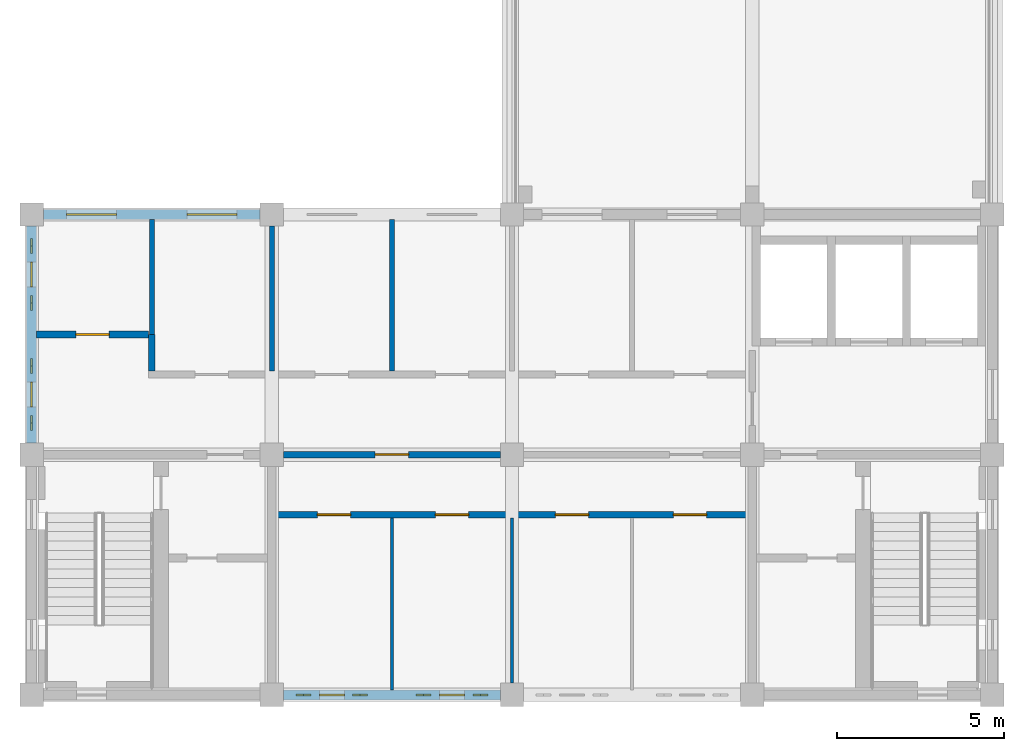
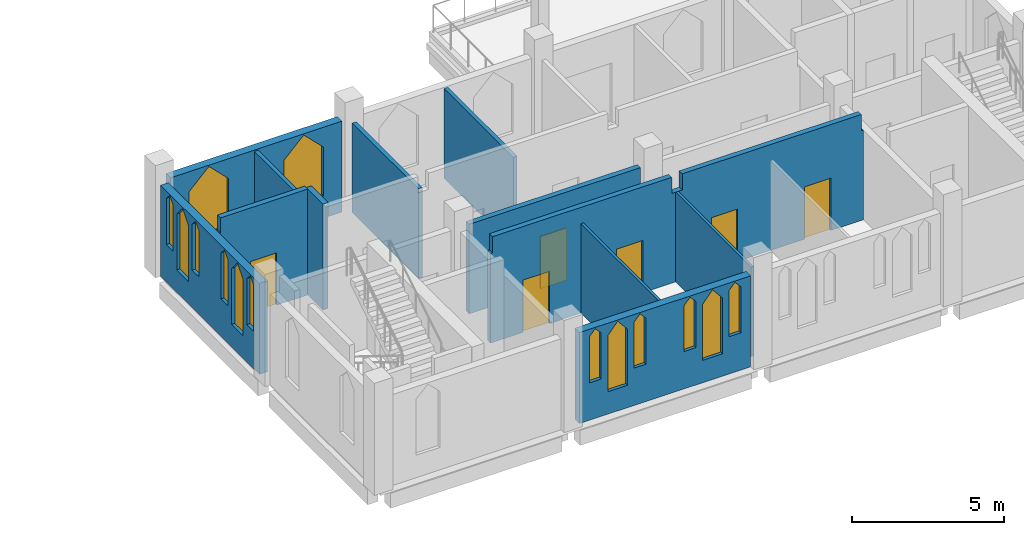
# One storey, part 2 of 5: 14 windows, 12 walls, 6 doors, 20 openings.
"""IFC4 building model written with IfcOpenShell, lengths in metres."""

from ifc_helpers import new_model, si_unit, direction, frame, frame_2d, origin, place, context, subcontext, project, spatial, polyline, rectangle, outline, extrude, material, layer, layer_set, type_object, element, fill, save


model = new_model("IFC4")

# Units and contexts
model_context = context("Model", 3, precision=1e-05, world=origin(), true_north=direction((0.0, 1.0)))
body_context = subcontext(model_context, "Body", "Model", "MODEL_VIEW")
ifc_project = project(units=[si_unit("LENGTHUNIT", "METRE"), si_unit("AREAUNIT", "SQUARE_METRE"), si_unit("VOLUMEUNIT", "CUBIC_METRE"), si_unit("PLANEANGLEUNIT", "RADIAN"), si_unit("MASSUNIT", "GRAM", prefix="KILO")], contexts=[model_context])

# Site, building, storey
site_placement = place(None, origin())
site = spatial("IfcSite", under=ifc_project, at=site_placement, CompositionType="ELEMENT")
building_placement = place(site_placement, origin())
building = spatial("IfcBuilding", under=site, at=building_placement, Name="Silangan Lancet Faculty of Sciences", CompositionType="ELEMENT")
storey_placement = place(building_placement, frame((0.0, 0.0, 67.800048828125)))
storey = spatial("IfcBuildingStorey", under=building, at=storey_placement, Name="L14", CompositionType="ELEMENT", Elevation=67.800048828125)

# Wall, openings, windows
ifc_material_1 = material(Name="Concrete C40/50 precast", Category="concrete")
ifc_layer_1 = layer(ifc_material_1, 0.300048828125)
ifc_layer_set_1 = layer_set([ifc_layer_1], Name="Concrete C40/50 precast")
wall_type_1 = type_object("IfcWallType", Name="EW1 Precast cladding wall", PredefinedType="STANDARD", material=ifc_layer_set_1)
wall_1_placement = place(storey_placement, frame((0.0, 7.550048828125, 0.0), z_axis=(0.0, 0.0, 1.0), x_axis=(0.0, 1.0, 0.0)))
wall_1 = element("IfcWall", 1, at=wall_1_placement, inside=storey, type_object=wall_type_1, Name="EW-L14-W-ST-U-01", PredefinedType="STANDARD", context=body_context, shape_type="SweptSolid", body=[
    extrude(rectangle(XDim=6.5, YDim=0.300048828125, at=frame_2d((3.25, 0.0))), origin(), (0.0, 0.0, 1.0), 3.64990234375),
])
opening_1_placement = place(wall_1_placement, frame((0.375, 0.0, 1.5)))
opening_1 = element("IfcOpeningElement", 2, at=opening_1_placement, cuts=wall_1, Name="Opening W27", PredefinedType="OPENING", context=body_context, shape_type="SweptSolid", body=[
    extrude(outline(polyline([(0.0, 0.0), (0.449951171875, 0.0), (0.449951171875, 1.85009765625), (0.22509765625, 2.10009765625), (0.0, 1.85009765625), (0.0, 0.0)])), frame((0.0, 0.159912109375, 0.0), z_axis=(0.0, -1.0, 0.0), x_axis=(1.0, 0.0, 0.0)), (0.0, 0.0, 1.0), 0.320068359375),
])
opening_2_placement = place(wall_1_placement, frame((1.074951171875, 0.0, 0.89990234375)))
opening_2 = element("IfcOpeningElement", 3, at=opening_2_placement, cuts=wall_1, Name="Opening W28", PredefinedType="OPENING", context=body_context, shape_type="SweptSolid", body=[
    extrude(outline(polyline([(0.0, 0.0), (0.75, 0.0), (0.75, 2.25), (0.375, 2.699951171875), (0.0, 2.25), (0.0, 0.0)])), frame((0.0, 0.159912109375, 0.0), z_axis=(0.0, -1.0, 0.0), x_axis=(1.0, 0.0, 0.0)), (0.0, 0.0, 1.0), 0.320068359375),
])
opening_3_placement = place(wall_1_placement, frame((2.074951171875, 0.0, 1.5)))
opening_3 = element("IfcOpeningElement", 4, at=opening_3_placement, cuts=wall_1, Name="Opening W27", PredefinedType="OPENING", context=body_context, shape_type="SweptSolid", body=[
    extrude(outline(polyline([(0.0, 0.0), (0.449951171875, 0.0), (0.449951171875, 1.85009765625), (0.22509765625, 2.10009765625), (0.0, 1.85009765625), (0.0, 0.0)])), frame((0.0, 0.159912109375, 0.0), z_axis=(0.0, -1.0, 0.0), x_axis=(1.0, 0.0, 0.0)), (0.0, 0.0, 1.0), 0.320068359375),
])
opening_4_placement = place(wall_1_placement, frame((3.97509765625, 0.0, 1.5)))
opening_4 = element("IfcOpeningElement", 5, at=opening_4_placement, cuts=wall_1, Name="Opening W27", PredefinedType="OPENING", context=body_context, shape_type="SweptSolid", body=[
    extrude(outline(polyline([(0.0, 0.0), (0.449951171875, 0.0), (0.449951171875, 1.85009765625), (0.22509765625, 2.10009765625), (0.0, 1.85009765625), (0.0, 0.0)])), frame((0.0, 0.159912109375, 0.0), z_axis=(0.0, -1.0, 0.0), x_axis=(1.0, 0.0, 0.0)), (0.0, 0.0, 1.0), 0.320068359375),
])
opening_5_placement = place(wall_1_placement, frame((4.675048828125, 0.0, 0.89990234375)))
opening_5 = element("IfcOpeningElement", 6, at=opening_5_placement, cuts=wall_1, Name="Opening W28", PredefinedType="OPENING", context=body_context, shape_type="SweptSolid", body=[
    extrude(outline(polyline([(0.0, 0.0), (0.75, 0.0), (0.75, 2.25), (0.375, 2.699951171875), (0.0, 2.25), (0.0, 0.0)])), frame((0.0, 0.159912109375, 0.0), z_axis=(0.0, -1.0, 0.0), x_axis=(1.0, 0.0, 0.0)), (0.0, 0.0, 1.0), 0.320068359375),
])
opening_6_placement = place(wall_1_placement, frame((5.675048828125, 0.0, 1.5)))
opening_6 = element("IfcOpeningElement", 7, at=opening_6_placement, cuts=wall_1, Name="Opening W27", PredefinedType="OPENING", context=body_context, shape_type="SweptSolid", body=[
    extrude(outline(polyline([(0.0, 0.0), (0.449951171875, 0.0), (0.449951171875, 1.85009765625), (0.22509765625, 2.10009765625), (0.0, 1.85009765625), (0.0, 0.0)])), frame((0.0, 0.159912109375, 0.0), z_axis=(0.0, -1.0, 0.0), x_axis=(1.0, 0.0, 0.0)), (0.0, 0.0, 1.0), 0.320068359375),
])
ifc_material_2 = material(Name="Aluminium frame, laminated double glazing", Category="aluminium")
window_type_1 = type_object("IfcWindowType", Name="W27 Lancet window 450 x 2100 on a 1500 sill", PartitioningType="SINGLE_PANEL", PredefinedType="WINDOW", material=ifc_material_2)
window_1_placement = place(opening_1_placement, origin())
window_1 = element("IfcWindow", 8, at=window_1_placement, inside=storey, type_object=window_type_1, Name="WIN-L14-W-ST-U-01a1", OverallHeight=2.10009765625, OverallWidth=0.449951171875, PartitioningType="SINGLE_PANEL", PredefinedType="WINDOW", context=body_context, shape_type="SweptSolid", body=[
    extrude(outline(polyline([(0.0, 0.0), (0.449951171875, 0.0), (0.449951171875, 1.85009765625), (0.22509765625, 2.10009765625), (0.0, 1.85009765625), (0.0, 0.0)])), frame((0.0, 0.030029296875, 0.0), z_axis=(0.0, -1.0, 0.0), x_axis=(1.0, 0.0, 0.0)), (0.0, 0.0, 1.0), 0.06005859375),
])
fill(opening_1, window_1)
window_2_placement = place(opening_3_placement, origin())
window_2 = element("IfcWindow", 9, at=window_2_placement, inside=storey, type_object=window_type_1, Name="WIN-L14-W-ST-U-01a3", OverallHeight=2.10009765625, OverallWidth=0.449951171875, PartitioningType="SINGLE_PANEL", PredefinedType="WINDOW", context=body_context, shape_type="SweptSolid", body=[
    extrude(outline(polyline([(0.0, 0.0), (0.449951171875, 0.0), (0.449951171875, 1.85009765625), (0.22509765625, 2.10009765625), (0.0, 1.85009765625), (0.0, 0.0)])), frame((0.0, 0.030029296875, 0.0), z_axis=(0.0, -1.0, 0.0), x_axis=(1.0, 0.0, 0.0)), (0.0, 0.0, 1.0), 0.06005859375),
])
fill(opening_3, window_2)
window_3_placement = place(opening_4_placement, origin())
window_3 = element("IfcWindow", 10, at=window_3_placement, inside=storey, type_object=window_type_1, Name="WIN-L14-W-ST-U-01b1", OverallHeight=2.10009765625, OverallWidth=0.449951171875, PartitioningType="SINGLE_PANEL", PredefinedType="WINDOW", context=body_context, shape_type="SweptSolid", body=[
    extrude(outline(polyline([(0.0, 0.0), (0.449951171875, 0.0), (0.449951171875, 1.85009765625), (0.22509765625, 2.10009765625), (0.0, 1.85009765625), (0.0, 0.0)])), frame((0.0, 0.030029296875, 0.0), z_axis=(0.0, -1.0, 0.0), x_axis=(1.0, 0.0, 0.0)), (0.0, 0.0, 1.0), 0.06005859375),
])
fill(opening_4, window_3)
window_4_placement = place(opening_6_placement, origin())
window_4 = element("IfcWindow", 11, at=window_4_placement, inside=storey, type_object=window_type_1, Name="WIN-L14-W-ST-U-01b3", OverallHeight=2.10009765625, OverallWidth=0.449951171875, PartitioningType="SINGLE_PANEL", PredefinedType="WINDOW", context=body_context, shape_type="SweptSolid", body=[
    extrude(outline(polyline([(0.0, 0.0), (0.449951171875, 0.0), (0.449951171875, 1.85009765625), (0.22509765625, 2.10009765625), (0.0, 1.85009765625), (0.0, 0.0)])), frame((0.0, 0.030029296875, 0.0), z_axis=(0.0, -1.0, 0.0), x_axis=(1.0, 0.0, 0.0)), (0.0, 0.0, 1.0), 0.06005859375),
])
fill(opening_6, window_4)
ifc_material_3 = material(Name="Aluminium frame, laminated double glazing", Category="aluminium")
window_type_2 = type_object("IfcWindowType", Name="W28 Lancet window 750 x 2700", PartitioningType="SINGLE_PANEL", PredefinedType="WINDOW", material=ifc_material_3)
window_5_placement = place(opening_2_placement, origin())
window_5 = element("IfcWindow", 12, at=window_5_placement, inside=storey, type_object=window_type_2, Name="WIN-L14-W-ST-U-01a2", OverallHeight=2.699951171875, OverallWidth=0.75, PartitioningType="SINGLE_PANEL", PredefinedType="WINDOW", context=body_context, shape_type="SweptSolid", body=[
    extrude(outline(polyline([(0.0, 0.0), (0.75, 0.0), (0.75, 2.25), (0.375, 2.699951171875), (0.0, 2.25), (0.0, 0.0)])), frame((0.0, 0.030029296875, 0.0), z_axis=(0.0, -1.0, 0.0), x_axis=(1.0, 0.0, 0.0)), (0.0, 0.0, 1.0), 0.06005859375),
])
fill(opening_2, window_5)
window_6_placement = place(opening_5_placement, origin())
window_6 = element("IfcWindow", 13, at=window_6_placement, inside=storey, type_object=window_type_2, Name="WIN-L14-W-ST-U-01b2", OverallHeight=2.699951171875, OverallWidth=0.75, PartitioningType="SINGLE_PANEL", PredefinedType="WINDOW", context=body_context, shape_type="SweptSolid", body=[
    extrude(outline(polyline([(0.0, 0.0), (0.75, 0.0), (0.75, 2.25), (0.375, 2.699951171875), (0.0, 2.25), (0.0, 0.0)])), frame((0.0, 0.030029296875, 0.0), z_axis=(0.0, -1.0, 0.0), x_axis=(1.0, 0.0, 0.0)), (0.0, 0.0, 1.0), 0.06005859375),
])
fill(opening_5, window_6)

wall_2_placement = place(storey_placement, frame((7.550048828125, 0.0, 0.0), z_axis=(0.0, 0.0, 1.0), x_axis=(1.0, 0.0, 0.0)))
wall_2 = element("IfcWall", 14, at=wall_2_placement, inside=storey, type_object=wall_type_1, Name="EW-L14-S-ST-01", PredefinedType="STANDARD", context=body_context, shape_type="SweptSolid", body=[
    extrude(rectangle(XDim=6.5, YDim=0.300048828125, at=frame_2d((3.25, 0.0))), origin(), (0.0, 0.0, 1.0), 3.64990234375),
])
opening_7_placement = place(wall_2_placement, frame((0.375, 0.0, 1.5)))
opening_7 = element("IfcOpeningElement", 15, at=opening_7_placement, cuts=wall_2, Name="Opening W27", PredefinedType="OPENING", context=body_context, shape_type="SweptSolid", body=[
    extrude(outline(polyline([(0.0, 0.0), (0.449951171875, 0.0), (0.449951171875, 1.85009765625), (0.22509765625, 2.10009765625), (0.0, 1.85009765625), (0.0, 0.0)])), frame((0.0, 0.159912109375, 0.0), z_axis=(0.0, -1.0, 0.0), x_axis=(1.0, 0.0, 0.0)), (0.0, 0.0, 1.0), 0.320068359375),
])
opening_8_placement = place(wall_2_placement, frame((1.074951171875, 0.0, 0.89990234375)))
opening_8 = element("IfcOpeningElement", 16, at=opening_8_placement, cuts=wall_2, Name="Opening W28", PredefinedType="OPENING", context=body_context, shape_type="SweptSolid", body=[
    extrude(outline(polyline([(0.0, 0.0), (0.75, 0.0), (0.75, 2.25), (0.375, 2.699951171875), (0.0, 2.25), (0.0, 0.0)])), frame((0.0, 0.159912109375, 0.0), z_axis=(0.0, -1.0, 0.0), x_axis=(1.0, 0.0, 0.0)), (0.0, 0.0, 1.0), 0.320068359375),
])
opening_9_placement = place(wall_2_placement, frame((2.074951171875, 0.0, 1.5)))
opening_9 = element("IfcOpeningElement", 17, at=opening_9_placement, cuts=wall_2, Name="Opening W27", PredefinedType="OPENING", context=body_context, shape_type="SweptSolid", body=[
    extrude(outline(polyline([(0.0, 0.0), (0.449951171875, 0.0), (0.449951171875, 1.85009765625), (0.22509765625, 2.10009765625), (0.0, 1.85009765625), (0.0, 0.0)])), frame((0.0, 0.159912109375, 0.0), z_axis=(0.0, -1.0, 0.0), x_axis=(1.0, 0.0, 0.0)), (0.0, 0.0, 1.0), 0.320068359375),
])
opening_10_placement = place(wall_2_placement, frame((3.97509765625, 0.0, 1.5)))
opening_10 = element("IfcOpeningElement", 18, at=opening_10_placement, cuts=wall_2, Name="Opening W27", PredefinedType="OPENING", context=body_context, shape_type="SweptSolid", body=[
    extrude(outline(polyline([(0.0, 0.0), (0.449951171875, 0.0), (0.449951171875, 1.85009765625), (0.22509765625, 2.10009765625), (0.0, 1.85009765625), (0.0, 0.0)])), frame((0.0, 0.159912109375, 0.0), z_axis=(0.0, -1.0, 0.0), x_axis=(1.0, 0.0, 0.0)), (0.0, 0.0, 1.0), 0.320068359375),
])
opening_11_placement = place(wall_2_placement, frame((4.675048828125, 0.0, 0.89990234375)))
opening_11 = element("IfcOpeningElement", 19, at=opening_11_placement, cuts=wall_2, Name="Opening W28", PredefinedType="OPENING", context=body_context, shape_type="SweptSolid", body=[
    extrude(outline(polyline([(0.0, 0.0), (0.75, 0.0), (0.75, 2.25), (0.375, 2.699951171875), (0.0, 2.25), (0.0, 0.0)])), frame((0.0, 0.159912109375, 0.0), z_axis=(0.0, -1.0, 0.0), x_axis=(1.0, 0.0, 0.0)), (0.0, 0.0, 1.0), 0.320068359375),
])
opening_12_placement = place(wall_2_placement, frame((5.675048828125, 0.0, 1.5)))
opening_12 = element("IfcOpeningElement", 20, at=opening_12_placement, cuts=wall_2, Name="Opening W27", PredefinedType="OPENING", context=body_context, shape_type="SweptSolid", body=[
    extrude(outline(polyline([(0.0, 0.0), (0.449951171875, 0.0), (0.449951171875, 1.85009765625), (0.22509765625, 2.10009765625), (0.0, 1.85009765625), (0.0, 0.0)])), frame((0.0, 0.159912109375, 0.0), z_axis=(0.0, -1.0, 0.0), x_axis=(1.0, 0.0, 0.0)), (0.0, 0.0, 1.0), 0.320068359375),
])
window_7_placement = place(opening_7_placement, origin())
window_7 = element("IfcWindow", 21, at=window_7_placement, inside=storey, type_object=window_type_1, Name="WIN-L14-S-ST-01a1", OverallHeight=2.10009765625, OverallWidth=0.449951171875, PartitioningType="SINGLE_PANEL", PredefinedType="WINDOW", context=body_context, shape_type="SweptSolid", body=[
    extrude(outline(polyline([(0.0, 0.0), (0.449951171875, 0.0), (0.449951171875, 1.85009765625), (0.22509765625, 2.10009765625), (0.0, 1.85009765625), (0.0, 0.0)])), frame((0.0, 0.030029296875, 0.0), z_axis=(0.0, -1.0, 0.0), x_axis=(1.0, 0.0, 0.0)), (0.0, 0.0, 1.0), 0.06005859375),
])
fill(opening_7, window_7)
window_8_placement = place(opening_9_placement, origin())
window_8 = element("IfcWindow", 22, at=window_8_placement, inside=storey, type_object=window_type_1, Name="WIN-L14-S-ST-01a3", OverallHeight=2.10009765625, OverallWidth=0.449951171875, PartitioningType="SINGLE_PANEL", PredefinedType="WINDOW", context=body_context, shape_type="SweptSolid", body=[
    extrude(outline(polyline([(0.0, 0.0), (0.449951171875, 0.0), (0.449951171875, 1.85009765625), (0.22509765625, 2.10009765625), (0.0, 1.85009765625), (0.0, 0.0)])), frame((0.0, 0.030029296875, 0.0), z_axis=(0.0, -1.0, 0.0), x_axis=(1.0, 0.0, 0.0)), (0.0, 0.0, 1.0), 0.06005859375),
])
fill(opening_9, window_8)
window_9_placement = place(opening_10_placement, origin())
window_9 = element("IfcWindow", 23, at=window_9_placement, inside=storey, type_object=window_type_1, Name="WIN-L14-S-ST-01b1", OverallHeight=2.10009765625, OverallWidth=0.449951171875, PartitioningType="SINGLE_PANEL", PredefinedType="WINDOW", context=body_context, shape_type="SweptSolid", body=[
    extrude(outline(polyline([(0.0, 0.0), (0.449951171875, 0.0), (0.449951171875, 1.85009765625), (0.22509765625, 2.10009765625), (0.0, 1.85009765625), (0.0, 0.0)])), frame((0.0, 0.030029296875, 0.0), z_axis=(0.0, -1.0, 0.0), x_axis=(1.0, 0.0, 0.0)), (0.0, 0.0, 1.0), 0.06005859375),
])
fill(opening_10, window_9)
window_10_placement = place(opening_12_placement, origin())
window_10 = element("IfcWindow", 24, at=window_10_placement, inside=storey, type_object=window_type_1, Name="WIN-L14-S-ST-01b3", OverallHeight=2.10009765625, OverallWidth=0.449951171875, PartitioningType="SINGLE_PANEL", PredefinedType="WINDOW", context=body_context, shape_type="SweptSolid", body=[
    extrude(outline(polyline([(0.0, 0.0), (0.449951171875, 0.0), (0.449951171875, 1.85009765625), (0.22509765625, 2.10009765625), (0.0, 1.85009765625), (0.0, 0.0)])), frame((0.0, 0.030029296875, 0.0), z_axis=(0.0, -1.0, 0.0), x_axis=(1.0, 0.0, 0.0)), (0.0, 0.0, 1.0), 0.06005859375),
])
fill(opening_12, window_10)
window_11_placement = place(opening_8_placement, origin())
window_11 = element("IfcWindow", 25, at=window_11_placement, inside=storey, type_object=window_type_2, Name="WIN-L14-S-ST-01a2", OverallHeight=2.699951171875, OverallWidth=0.75, PartitioningType="SINGLE_PANEL", PredefinedType="WINDOW", context=body_context, shape_type="SweptSolid", body=[
    extrude(outline(polyline([(0.0, 0.0), (0.75, 0.0), (0.75, 2.25), (0.375, 2.699951171875), (0.0, 2.25), (0.0, 0.0)])), frame((0.0, 0.030029296875, 0.0), z_axis=(0.0, -1.0, 0.0), x_axis=(1.0, 0.0, 0.0)), (0.0, 0.0, 1.0), 0.06005859375),
])
fill(opening_8, window_11)
window_12_placement = place(opening_11_placement, origin())
window_12 = element("IfcWindow", 26, at=window_12_placement, inside=storey, type_object=window_type_2, Name="WIN-L14-S-ST-01b2", OverallHeight=2.699951171875, OverallWidth=0.75, PartitioningType="SINGLE_PANEL", PredefinedType="WINDOW", context=body_context, shape_type="SweptSolid", body=[
    extrude(outline(polyline([(0.0, 0.0), (0.75, 0.0), (0.75, 2.25), (0.375, 2.699951171875), (0.0, 2.25), (0.0, 0.0)])), frame((0.0, 0.030029296875, 0.0), z_axis=(0.0, -1.0, 0.0), x_axis=(1.0, 0.0, 0.0)), (0.0, 0.0, 1.0), 0.06005859375),
])
fill(opening_11, window_12)

wall_3_placement = place(storey_placement, frame((6.85009765625, 14.39990234375, 0.0), z_axis=(0.0, 0.0, 1.0), x_axis=(-1.0, 0.0, 0.0)))
wall_3 = element("IfcWall", 27, at=wall_3_placement, inside=storey, type_object=wall_type_1, Name="EW-L14-N-ST-U-03", PredefinedType="STANDARD", context=body_context, shape_type="SweptSolid", body=[
    extrude(rectangle(XDim=6.5, YDim=0.300048828125, at=frame_2d((3.25, 0.0))), origin(), (0.0, 0.0, 1.0), 3.64990234375),
])
opening_13_placement = place(wall_3_placement, frame((0.699951171875, 0.0, 0.89990234375)))
opening_13 = element("IfcOpeningElement", 28, at=opening_13_placement, cuts=wall_3, Name="Opening W23", PredefinedType="OPENING", context=body_context, shape_type="SweptSolid", body=[
    extrude(outline(polyline([(0.0, 0.0), (1.5, 0.0), (1.5, 1.949951171875), (0.75, 2.699951171875), (0.0, 1.949951171875), (0.0, 0.0)])), frame((0.0, 0.159912109375, 0.0), z_axis=(0.0, -1.0, 0.0), x_axis=(1.0, 0.0, 0.0)), (0.0, 0.0, 1.0), 0.320068359375),
])
opening_14_placement = place(wall_3_placement, frame((4.300048828125, 0.0, 0.89990234375)))
opening_14 = element("IfcOpeningElement", 29, at=opening_14_placement, cuts=wall_3, Name="Opening W23", PredefinedType="OPENING", context=body_context, shape_type="SweptSolid", body=[
    extrude(outline(polyline([(0.0, 0.0), (1.5, 0.0), (1.5, 1.949951171875), (0.75, 2.699951171875), (0.0, 1.949951171875), (0.0, 0.0)])), frame((0.0, 0.159912109375, 0.0), z_axis=(0.0, -1.0, 0.0), x_axis=(1.0, 0.0, 0.0)), (0.0, 0.0, 1.0), 0.320068359375),
])
ifc_material_4 = material(Name="Aluminium frame, laminated double glazing", Category="aluminium")
window_type_3 = type_object("IfcWindowType", Name="W23 Lancet window 1500 x 2700", PartitioningType="SINGLE_PANEL", PredefinedType="WINDOW", material=ifc_material_4)
window_13_placement = place(opening_13_placement, origin())
window_13 = element("IfcWindow", 30, at=window_13_placement, inside=storey, type_object=window_type_3, Name="WIN-L14-N-ST-U-03a", OverallHeight=2.699951171875, OverallWidth=1.5, PartitioningType="SINGLE_PANEL", PredefinedType="WINDOW", context=body_context, shape_type="SweptSolid", body=[
    extrude(outline(polyline([(0.0, 0.0), (1.5, 0.0), (1.5, 1.949951171875), (0.75, 2.699951171875), (0.0, 1.949951171875), (0.0, 0.0)])), frame((0.0, 0.030029296875, 0.0), z_axis=(0.0, -1.0, 0.0), x_axis=(1.0, 0.0, 0.0)), (0.0, 0.0, 1.0), 0.06005859375),
])
fill(opening_13, window_13)
window_14_placement = place(opening_14_placement, origin())
window_14 = element("IfcWindow", 31, at=window_14_placement, inside=storey, type_object=window_type_3, Name="WIN-L14-N-ST-U-03b", OverallHeight=2.699951171875, OverallWidth=1.5, PartitioningType="SINGLE_PANEL", PredefinedType="WINDOW", context=body_context, shape_type="SweptSolid", body=[
    extrude(outline(polyline([(0.0, 0.0), (1.5, 0.0), (1.5, 1.949951171875), (0.75, 2.699951171875), (0.0, 1.949951171875), (0.0, 0.0)])), frame((0.0, 0.030029296875, 0.0), z_axis=(0.0, -1.0, 0.0), x_axis=(1.0, 0.0, 0.0)), (0.0, 0.0, 1.0), 0.06005859375),
])
fill(opening_14, window_14)

# Wall, openings, doors
ifc_material_5 = material(Name="Hollow block masonry fm 7 MPa", Category="masonry")
ifc_layer_2 = layer(ifc_material_5, 0.199951171875)
ifc_layer_set_2 = layer_set([ifc_layer_2], Name="Hollow block masonry fm 7 MPa")
wall_type_2 = type_object("IfcWallType", Name="Interior wall PW1 Corridor wall CHB 200", PredefinedType="PARTITIONING", material=ifc_layer_set_2)
wall_4_placement = place(storey_placement, frame((7.324951171875, 5.39990234375, 0.0), z_axis=(0.0, 0.0, 1.0), x_axis=(1.0, 0.0, 0.0)))
wall_4 = element("IfcWall", 32, at=wall_4_placement, inside=storey, type_object=wall_type_2, Name="Corridor wall CHB 200", PredefinedType="PARTITIONING", context=body_context, shape_type="SweptSolid", body=[
    extrude(outline(polyline([(0.0, 0.0), (14.150146484375, 0.0), (14.150146484375, 3.599853515625), (14.074951171875, 3.599853515625), (14.074951171875, 4.25), (7.27490234375, 4.25), (7.27490234375, 3.599853515625), (6.875, 3.599853515625), (6.875, 4.25), (0.074951171875, 4.25), (0.074951171875, 3.599853515625), (0.0, 3.599853515625), (0.0, 0.0)])), frame((0.0, 0.10009765625, 0.0), z_axis=(0.0, -1.0, 0.0), x_axis=(1.0, 0.0, 0.0)), (0.0, 0.0, 1.0), 0.199951171875),
])
opening_15_placement = place(wall_4_placement, frame((1.237548828125, 0.0, 0.0)))
opening_15 = element("IfcOpeningElement", 33, at=opening_15_placement, cuts=wall_4, Name="Opening L14-004", PredefinedType="OPENING", context=body_context, shape_type="SweptSolid", body=[
    extrude(rectangle(XDim=1.0, YDim=2.10009765625, at=frame_2d((0.5, 1.050048828125))), frame((0.0, 0.10986328125, 0.0), z_axis=(0.0, -1.0, 0.0), x_axis=(1.0, 0.0, 0.0)), (0.0, 0.0, 1.0), 0.219970703125),
])
opening_16_placement = place(wall_4_placement, frame((4.77490234375, 0.0, 0.0)))
opening_16 = element("IfcOpeningElement", 34, at=opening_16_placement, cuts=wall_4, Name="Opening L14-005", PredefinedType="OPENING", context=body_context, shape_type="SweptSolid", body=[
    extrude(rectangle(XDim=1.0, YDim=2.10009765625, at=frame_2d((0.5, 1.050048828125))), frame((0.0, 0.10986328125, 0.0), z_axis=(0.0, -1.0, 0.0), x_axis=(1.0, 0.0, 0.0)), (0.0, 0.0, 1.0), 0.219970703125),
])
opening_17_placement = place(wall_4_placement, frame((8.375, 0.0, 0.0)))
opening_17 = element("IfcOpeningElement", 35, at=opening_17_placement, cuts=wall_4, Name="Opening L14-006", PredefinedType="OPENING", context=body_context, shape_type="SweptSolid", body=[
    extrude(rectangle(XDim=1.0, YDim=2.10009765625, at=frame_2d((0.5, 1.050048828125))), frame((0.0, 0.10986328125, 0.0), z_axis=(0.0, -1.0, 0.0), x_axis=(1.0, 0.0, 0.0)), (0.0, 0.0, 1.0), 0.219970703125),
])
opening_18_placement = place(wall_4_placement, frame((11.91259765625, 0.0, 0.0)))
opening_18 = element("IfcOpeningElement", 36, at=opening_18_placement, cuts=wall_4, Name="Opening L14-007", PredefinedType="OPENING", context=body_context, shape_type="SweptSolid", body=[
    extrude(rectangle(XDim=1.0, YDim=2.10009765625, at=frame_2d((0.5, 1.050048828125))), frame((0.0, 0.10986328125, 0.0), z_axis=(0.0, -1.0, 0.0), x_axis=(1.0, 0.0, 0.0)), (0.0, 0.0, 1.0), 0.219970703125),
])
ifc_material_6 = material(Name="Steel fire door set", Category="steel")
door_type = type_object("IfcDoorType", Name="Door D1 Single leaf fire door 1000 x 2100", OperationType="SINGLE_SWING_LEFT", PredefinedType="DOOR", material=ifc_material_6)
door_1_placement = place(opening_15_placement, frame((1.0, 0.0, 0.0), z_axis=(0.0, 0.0, 1.0), x_axis=(-1.0, 0.0, 0.0)))
door_1 = element("IfcDoor", 37, at=door_1_placement, inside=storey, type_object=door_type, Name="Single leaf fire door 1000 x 2100", OperationType="SINGLE_SWING_LEFT", OverallHeight=2.10009765625, OverallWidth=1.0, PredefinedType="DOOR", context=body_context, shape_type="SweptSolid", body=[
    extrude(rectangle(XDim=1.0, YDim=2.10009765625, at=frame_2d((0.5, 1.050048828125))), frame((0.0, 0.025146484375, 0.0), z_axis=(0.0, -1.0, 0.0), x_axis=(1.0, 0.0, 0.0)), (0.0, 0.0, 1.0), 0.050048828125),
])
fill(opening_15, door_1)
door_2_placement = place(opening_16_placement, frame((1.0, 0.0, 0.0), z_axis=(0.0, 0.0, 1.0), x_axis=(-1.0, 0.0, 0.0)))
door_2 = element("IfcDoor", 38, at=door_2_placement, inside=storey, type_object=door_type, Name="Single leaf fire door 1000 x 2100", OperationType="SINGLE_SWING_RIGHT", OverallHeight=2.10009765625, OverallWidth=1.0, PredefinedType="DOOR", context=body_context, shape_type="SweptSolid", body=[
    extrude(rectangle(XDim=1.0, YDim=2.10009765625, at=frame_2d((0.5, 1.050048828125))), frame((0.0, 0.025146484375, 0.0), z_axis=(0.0, -1.0, 0.0), x_axis=(1.0, 0.0, 0.0)), (0.0, 0.0, 1.0), 0.050048828125),
])
fill(opening_16, door_2)
door_3_placement = place(opening_17_placement, frame((1.0, 0.0, 0.0), z_axis=(0.0, 0.0, 1.0), x_axis=(-1.0, 0.0, 0.0)))
door_3 = element("IfcDoor", 39, at=door_3_placement, inside=storey, type_object=door_type, Name="Single leaf fire door 1000 x 2100", OperationType="SINGLE_SWING_LEFT", OverallHeight=2.10009765625, OverallWidth=1.0, PredefinedType="DOOR", context=body_context, shape_type="SweptSolid", body=[
    extrude(rectangle(XDim=1.0, YDim=2.10009765625, at=frame_2d((0.5, 1.050048828125))), frame((0.0, 0.025146484375, 0.0), z_axis=(0.0, -1.0, 0.0), x_axis=(1.0, 0.0, 0.0)), (0.0, 0.0, 1.0), 0.050048828125),
])
fill(opening_17, door_3)
door_4_placement = place(opening_18_placement, frame((1.0, 0.0, 0.0), z_axis=(0.0, 0.0, 1.0), x_axis=(-1.0, 0.0, 0.0)))
door_4 = element("IfcDoor", 40, at=door_4_placement, inside=storey, type_object=door_type, Name="Single leaf fire door 1000 x 2100", OperationType="SINGLE_SWING_RIGHT", OverallHeight=2.10009765625, OverallWidth=1.0, PredefinedType="DOOR", context=body_context, shape_type="SweptSolid", body=[
    extrude(rectangle(XDim=1.0, YDim=2.10009765625, at=frame_2d((0.5, 1.050048828125))), frame((0.0, 0.025146484375, 0.0), z_axis=(0.0, -1.0, 0.0), x_axis=(1.0, 0.0, 0.0)), (0.0, 0.0, 1.0), 0.050048828125),
])
fill(opening_18, door_4)

# Wall, opening, door
wall_5_placement = place(storey_placement, frame((7.550048828125, 7.199951171875, 0.0), z_axis=(0.0, 0.0, 1.0), x_axis=(1.0, 0.0, 0.0)))
wall_5 = element("IfcWall", 41, at=wall_5_placement, inside=storey, type_object=wall_type_2, Name="Corridor wall CHB 200", PredefinedType="PARTITIONING", context=body_context, shape_type="SweptSolid", body=[
    extrude(rectangle(XDim=6.5, YDim=0.199951171875, at=frame_2d((3.25, 0.0))), origin(), (0.0, 0.0, 1.0), 3.599853515625),
])
opening_19_placement = place(wall_5_placement, frame((2.75, 0.0, 0.0)))
opening_19 = element("IfcOpeningElement", 42, at=opening_19_placement, cuts=wall_5, Name="Opening L14-002", PredefinedType="OPENING", context=body_context, shape_type="SweptSolid", body=[
    extrude(rectangle(XDim=1.0, YDim=2.10009765625, at=frame_2d((0.5, 1.050048828125))), frame((0.0, 0.10986328125, 0.0), z_axis=(0.0, -1.0, 0.0), x_axis=(1.0, 0.0, 0.0)), (0.0, 0.0, 1.0), 0.219970703125),
])
door_5_placement = place(opening_19_placement, frame((1.0, 0.0, 0.0), z_axis=(0.0, 0.0, 1.0), x_axis=(-1.0, 0.0, 0.0)))
door_5 = element("IfcDoor", 43, at=door_5_placement, inside=storey, type_object=door_type, Name="Single leaf fire door 1000 x 2100", OperationType="SINGLE_SWING_LEFT", OverallHeight=2.10009765625, OverallWidth=1.0, PredefinedType="DOOR", context=body_context, shape_type="SweptSolid", body=[
    extrude(rectangle(XDim=1.0, YDim=2.10009765625, at=frame_2d((0.5, 1.050048828125))), frame((0.0, 0.025146484375, 0.0), z_axis=(0.0, -1.0, 0.0), x_axis=(1.0, 0.0, 0.0)), (0.0, 0.0, 1.0), 0.050048828125),
])
fill(opening_19, door_5)

wall_6_placement = place(storey_placement, frame((0.14990234375, 10.800048828125, 0.0), z_axis=(0.0, 0.0, 1.0), x_axis=(1.0, 0.0, 0.0)))
wall_6 = element("IfcWall", 44, at=wall_6_placement, inside=storey, type_object=wall_type_2, Name="Corridor wall CHB 200", PredefinedType="PARTITIONING", context=body_context, shape_type="SweptSolid", body=[
    extrude(outline(polyline([(0.0, 0.0), (3.35009765625, 0.0), (3.35009765625, 4.25), (0.050048828125, 4.25), (0.050048828125, 3.64990234375), (0.0, 3.64990234375), (0.0, 0.0)])), frame((0.0, 0.10009765625, 0.0), z_axis=(0.0, -1.0, 0.0), x_axis=(1.0, 0.0, 0.0)), (0.0, 0.0, 1.0), 0.199951171875),
])
opening_20_placement = place(wall_6_placement, frame((1.175048828125, 0.0, 0.0)))
opening_20 = element("IfcOpeningElement", 45, at=opening_20_placement, cuts=wall_6, Name="Opening L14-009", PredefinedType="OPENING", context=body_context, shape_type="SweptSolid", body=[
    extrude(rectangle(XDim=1.0, YDim=2.10009765625, at=frame_2d((0.5, 1.050048828125))), frame((0.0, 0.10986328125, 0.0), z_axis=(0.0, -1.0, 0.0), x_axis=(1.0, 0.0, 0.0)), (0.0, 0.0, 1.0), 0.219970703125),
])
door_6_placement = place(opening_20_placement, origin())
door_6 = element("IfcDoor", 46, at=door_6_placement, inside=storey, type_object=door_type, Name="Single leaf fire door 1000 x 2100", OperationType="SINGLE_SWING_LEFT", OverallHeight=2.10009765625, OverallWidth=1.0, PredefinedType="DOOR", context=body_context, shape_type="SweptSolid", body=[
    extrude(rectangle(XDim=1.0, YDim=2.10009765625, at=frame_2d((0.5, 1.050048828125))), frame((0.0, 0.02490234375, 0.0), z_axis=(0.0, -1.0, 0.0), x_axis=(1.0, 0.0, 0.0)), (0.0, 0.0, 1.0), 0.050048828125),
])
fill(opening_20, door_6)

# Walls
wall_7_placement = place(storey_placement, frame((3.60009765625, 9.699951171875, 0.0), z_axis=(0.0, 0.0, 1.0), x_axis=(0.0, 1.0, 0.0)))
element("IfcWall", 47, at=wall_7_placement, inside=storey, type_object=wall_type_2, Name="Corridor wall CHB 200", PredefinedType="PARTITIONING", context=body_context, shape_type="SweptSolid", body=[
    extrude(rectangle(XDim=1.10009765625, YDim=0.199951171875, at=frame_2d((0.550048828125, 0.0))), origin(), (0.0, 0.0, 1.0), 4.25),
])
ifc_material_7 = material(Name="Hollow block masonry fm 7 MPa", Category="masonry")
ifc_layer_3 = layer(ifc_material_7, 0.14990234375)
ifc_layer_set_3 = layer_set([ifc_layer_3], Name="Hollow block masonry fm 7 MPa")
wall_type_3 = type_object("IfcWallType", Name="Interior wall PW3 Partition CHB 150", PredefinedType="PARTITIONING", material=ifc_layer_set_3)
wall_8_placement = place(storey_placement, frame((3.60009765625, 10.800048828125, 0.0), z_axis=(0.0, 0.0, 1.0), x_axis=(0.0, 1.0, 0.0)))
element("IfcWall", 48, at=wall_8_placement, inside=storey, type_object=wall_type_3, Name="Partition CHB 150", PredefinedType="PARTITIONING", context=body_context, shape_type="SweptSolid", body=[
    extrude(rectangle(XDim=3.449951171875, YDim=0.14990234375, at=frame_2d((1.72509765625, 0.0))), origin(), (0.0, 0.0, 1.0), 3.599853515625),
])
wall_9_placement = place(storey_placement, frame((7.199951171875, 9.699951171875, 0.0), z_axis=(0.0, 0.0, 1.0), x_axis=(0.0, 1.0, 0.0)))
element("IfcWall", 49, at=wall_9_placement, inside=storey, type_object=wall_type_3, Name="Partition CHB 150", PredefinedType="PARTITIONING", context=body_context, shape_type="SweptSolid", body=[
    extrude(rectangle(XDim=4.35009765625, YDim=0.14990234375, at=frame_2d((2.175048828125, 0.0))), origin(), (0.0, 0.0, 1.0), 3.599853515625),
])
wall_10_placement = place(storey_placement, frame((10.800048828125, 9.699951171875, 0.0), z_axis=(0.0, 0.0, 1.0), x_axis=(0.0, 1.0, 0.0)))
element("IfcWall", 50, at=wall_10_placement, inside=storey, type_object=wall_type_3, Name="Partition CHB 150", PredefinedType="PARTITIONING", context=body_context, shape_type="SweptSolid", body=[
    extrude(rectangle(XDim=4.550048828125, YDim=0.14990234375, at=frame_2d((2.27490234375, 0.0))), origin(), (0.0, 0.0, 1.0), 3.599853515625),
])
ifc_material_8 = material(Name="Hollow block masonry fm 7 MPa", Category="masonry")
ifc_layer_4 = layer(ifc_material_8, 0.10009765625)
ifc_layer_set_4 = layer_set([ifc_layer_4], Name="Hollow block masonry fm 7 MPa")
wall_type_4 = type_object("IfcWallType", Name="Interior wall PW8 WC partition CHB 100", PredefinedType="PARTITIONING", material=ifc_layer_set_4)
wall_11_placement = place(storey_placement, frame((10.800048828125, 0.14990234375, 0.0), z_axis=(0.0, 0.0, 1.0), x_axis=(0.0, 1.0, 0.0)))
element("IfcWall", 51, at=wall_11_placement, inside=storey, type_object=wall_type_4, Name="WC partition CHB 100", PredefinedType="PARTITIONING", context=body_context, shape_type="SweptSolid", body=[
    extrude(rectangle(XDim=5.150146484375, YDim=0.10009765625, at=frame_2d((2.5751953125, 0.0))), origin(), (0.0, 0.0, 1.0), 3.599853515625),
])
wall_12_placement = place(storey_placement, frame((14.39990234375, 0.35009765625, 0.0), z_axis=(0.0, 0.0, 1.0), x_axis=(0.0, 1.0, 0.0)))
element("IfcWall", 52, at=wall_12_placement, inside=storey, type_object=wall_type_4, Name="WC partition CHB 100", PredefinedType="PARTITIONING", context=body_context, shape_type="SweptSolid", body=[
    extrude(rectangle(XDim=4.949951171875, YDim=0.10009765625, at=frame_2d((2.47509765625, 0.0))), origin(), (0.0, 0.0, 1.0), 3.599853515625),
])

save(model, "model.ifc")
